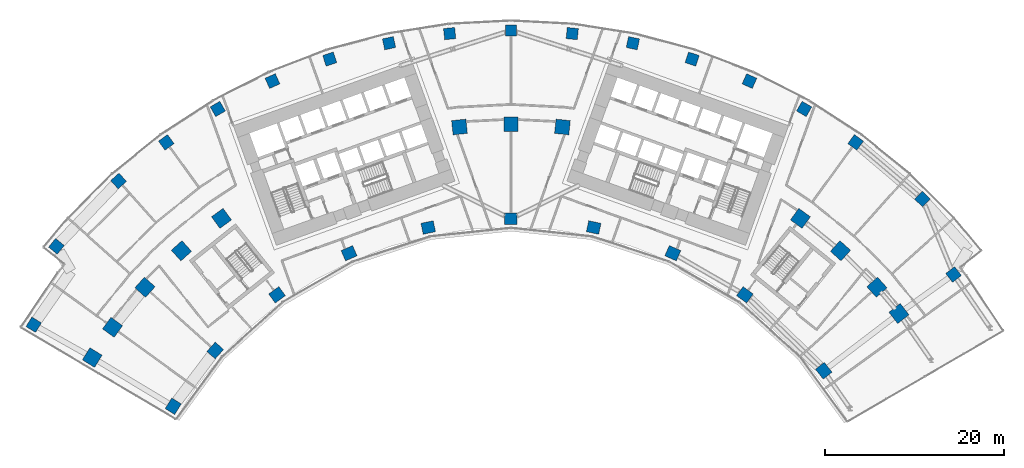
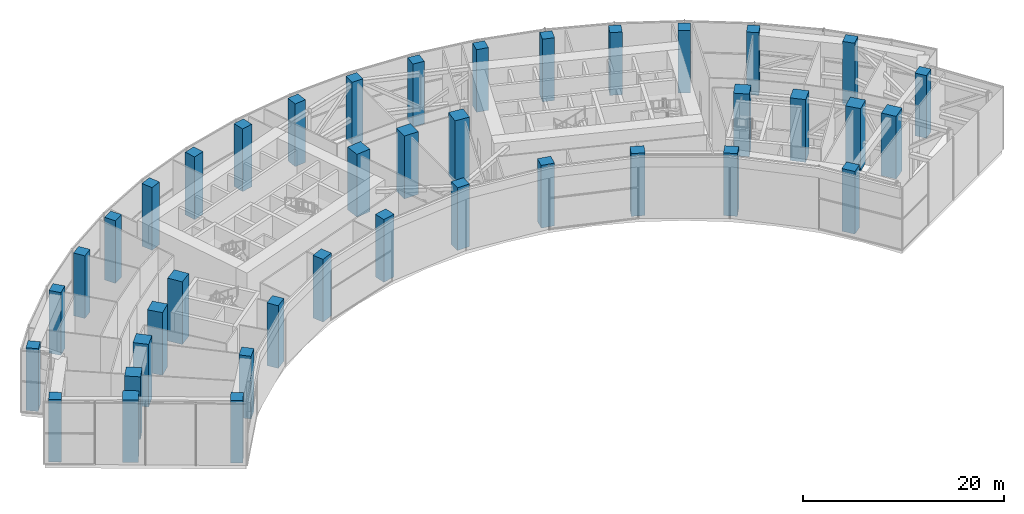
# One storey, part 1 of 33: 40 columns.
"""IFC4 building model written with IfcOpenShell, lengths in metres."""

from ifc_helpers import new_model, si_unit, direction, frame, origin, origin_2d, place, context, subcontext, project, spatial, rectangle, extrude, material, material_profile, profile_set, type_object, element, save


model = new_model("IFC4")

# Units and contexts
model_context = context("Model", 3, precision=1e-05, world=origin(), true_north=direction((0.0, 1.0)))
body_context = subcontext(model_context, "Body", "Model", "MODEL_VIEW")
ifc_project = project(units=[si_unit("LENGTHUNIT", "METRE"), si_unit("AREAUNIT", "SQUARE_METRE"), si_unit("VOLUMEUNIT", "CUBIC_METRE"), si_unit("PLANEANGLEUNIT", "RADIAN"), si_unit("MASSUNIT", "GRAM", prefix="KILO")], contexts=[model_context])

# Site, building, storey
site_placement = place(None, origin())
site = spatial("IfcSite", under=ifc_project, at=site_placement, CompositionType="ELEMENT")
building_placement = place(site_placement, origin())
building = spatial("IfcBuilding", under=site, at=building_placement, Name="Stone Belt Terrace Tower", CompositionType="ELEMENT")
storey_placement = place(building_placement, frame((0.0, 0.0, 79.39990234375)))
storey = spatial("IfcBuildingStorey", under=building, at=storey_placement, Name="L19", CompositionType="ELEMENT", Elevation=79.39990234375)

# Columns
ifc_material = material(Name="Concrete B80", Category="concrete")
ifc_material_profile_1 = material_profile(ifc_material, rectangle(XDim=1.25, YDim=1.25, at=origin_2d()), Name="RC 1250x1250")
ifc_profile_set_1 = profile_set([ifc_material_profile_1], Name="Concrete B80")
column_type_1 = type_object("IfcColumnType", Name="Column RC 1250x1250 B80", PredefinedType="COLUMN", material=ifc_profile_set_1)
for number, where, z_axis, x_axis, name in (
    (1, (-53.30078125, 32.6171875, 0.0), (0.0, 0.0, 1.0), (0.521967198123, 0.852965558556, 0.0), "Column L19 RA"),
    (2, (49.432861328125, 38.226318359375, 0.0), (0.0, 0.0, 1.0), (0.611730019057, -0.791066611472, 0.0), "Column L19 RB"),
    (3, (-50.7646484375, 41.373046875, 0.0), (0.0, 0.0, 1.0), (0.631758757508, 0.775165061333, 0.0), "Column L19 RNA"),
    (4, (-43.820556640625, 48.667724609375, 0.0), (0.0, 0.0, 1.0), (0.743144825477, 0.669130606359, 0.0), "Column L19 R15"),
    (5, (-38.493408203125, 52.981689453125, 0.0), (0.0, 0.0, 1.0), (0.809016994375, 0.587785252292, 0.0), "Column L19 R16"),
    (6, (-32.744384765625, 56.715087890625, 0.0), (0.0, 0.0, 1.0), (0.866025403784, 0.5, 0.0), "Column L19 R17"),
    (7, (-26.63671875, 59.8271484375, 0.0), (0.0, 0.0, 1.0), (0.913545457643, 0.406736643076, 0.0), "Column L19 R18"),
    (8, (-20.2373046875, 62.28369140625, 0.0), (0.0, 0.0, 1.0), (0.951056516295, 0.309016994375, 0.0), "Column L19 R19"),
    (9, (-13.615966796875, 64.057861328125, 0.0), (0.0, 0.0, 1.0), (0.978147600734, 0.207911690818, 0.0), "Column L19 R20"),
    (10, (-6.845458984375, 65.130126953125, 0.0), (0.0, 0.0, 1.0), (0.994521895368, 0.104528463268, 0.0), "Column L19 R21"),
    (11, (0.0, 65.489013671875, 0.0), (0.0, 0.0, 1.0), (1.0, 0.0, 0.0), "Column L19 R22"),
    (12, (6.845458984375, 65.130126953125, 0.0), (0.0, 0.0, 1.0), (0.994521895368, -0.104528463268, 0.0), "Column L19 R23"),
    (13, (13.615966796875, 64.057861328125, 0.0), (0.0, 0.0, 1.0), (0.978147600734, -0.207911690818, 0.0), "Column L19 R24"),
    (14, (20.2373046875, 62.28369140625, 0.0), (0.0, 0.0, 1.0), (0.951056516295, -0.309016994375, 0.0), "Column L19 R25"),
    (15, (26.63671875, 59.8271484375, 0.0), (0.0, 0.0, 1.0), (0.913545457643, -0.406736643076, 0.0), "Column L19 R26"),
    (16, (32.744384765625, 56.715087890625, 0.0), (0.0, 0.0, 1.0), (0.866025403784, -0.5, 0.0), "Column L19 R27"),
    (17, (38.493408203125, 52.981689453125, 0.0), (0.0, 0.0, 1.0), (0.809016994375, -0.587785252292, 0.0), "Column L19 R28"),
    (18, (45.95849609375, 46.654296875, 0.0), (0.0, 0.0, 1.0), (0.712398494182, -0.701775167334, 0.0), "Column L19 RNB"),
):
    element("IfcColumn", number, at=place(storey_placement, frame(where, z_axis=z_axis, x_axis=x_axis)), inside=storey, type_object=column_type_1, Name=name, PredefinedType="COLUMN", context=body_context, shape_type="SweptSolid", body=[
        extrude(rectangle(XDim=1.25, YDim=1.25, at=origin_2d()), origin(), (0.0, 0.0, 1.0), 7.60009765625),
    ])
ifc_material_profile_2 = material_profile(ifc_material, rectangle(XDim=1.39990234375, YDim=1.25, at=origin_2d()), Name="RC 1400x1250")
ifc_profile_set_2 = profile_set([ifc_material_profile_2], Name="Concrete B80")
column_type_2 = type_object("IfcColumnType", Name="Column RC 1400x1250 B80", PredefinedType="COLUMN", material=ifc_profile_set_2)
for number, where, z_axis, x_axis, name in (
    (19, (-37.718017578125, 23.510009765625, 0.0), (0.0, 0.0, 1.0), (0.528967211548, 0.84864226215, 0.0), "Column L19 PA"),
    (20, (-33.029052734375, 29.739501953125, 0.0), (0.0, 0.0, 1.0), (0.669130606359, 0.743144825477, 0.0), "Column L19 P14"),
    (21, (-26.1240234375, 35.956787109375, 0.0), (0.0, 0.0, 1.0), (0.809016994375, 0.587785252292, 0.0), "Column L19 P16"),
    (22, (-18.077392578125, 40.6025390625, 0.0), (0.0, 0.0, 1.0), (0.913545457643, 0.406736643076, 0.0), "Column L19 P18"),
    (23, (-9.240478515625, 43.473876953125, 0.0), (0.0, 0.0, 1.0), (0.978147600734, 0.207911690818, 0.0), "Column L19 P20"),
    (24, (0.0, 44.445068359375, 0.0), (0.0, 0.0, 1.0), (1.0, 0.0, 0.0), "Column L19 P22"),
    (25, (9.240478515625, 43.473876953125, 0.0), (0.0, 0.0, 1.0), (0.978147600734, -0.207911690818, 0.0), "Column L19 P24"),
    (26, (18.077392578125, 40.6025390625, 0.0), (0.0, 0.0, 1.0), (0.913545457643, -0.406736643076, 0.0), "Column L19 P26"),
    (27, (26.1240234375, 35.956787109375, 0.0), (0.0, 0.0, 1.0), (0.809016994375, -0.587785252292, 0.0), "Column L19 P28"),
    (28, (34.93408203125, 27.476806640625, 0.0), (0.0, 0.0, 1.0), (0.618217727677, -0.786006896399, 0.0), "Column L19 PB"),
):
    element("IfcColumn", number, at=place(storey_placement, frame(where, z_axis=z_axis, x_axis=x_axis)), inside=storey, type_object=column_type_2, Name=name, PredefinedType="COLUMN", context=body_context, shape_type="SweptSolid", body=[
        extrude(rectangle(XDim=1.39990234375, YDim=1.25, at=origin_2d()), origin(), (0.0, 0.0, 1.0), 7.60009765625),
    ])
ifc_material_profile_3 = material_profile(ifc_material, rectangle(XDim=1.60009765625, YDim=1.60009765625, at=origin_2d()), Name="RC 1600x1600")
ifc_profile_set_3 = profile_set([ifc_material_profile_3], Name="Concrete B80")
column_type_3 = type_object("IfcColumnType", Name="Column RC 1600x1600 B80", PredefinedType="COLUMN", material=ifc_profile_set_3)
for number, where, z_axis, x_axis, name in (
    (29, (-46.763671875, 28.951171875, 0.0), (0.0, 0.0, 1.0), (0.526383105721, 0.850247508677, 0.0), "Column L19 QA"),
    (30, (-44.495849609375, 32.328125, 0.0), (0.0, 0.0, 1.0), (0.587785252292, 0.809016994375, 0.0), "Column L19 Q13"),
    (31, (-40.873046875, 36.80224609375, 0.0), (0.0, 0.0, 1.0), (0.669130606359, 0.743144825477, 0.0), "Column L19 Q14"),
    (32, (-36.80224609375, 40.873046875, 0.0), (0.0, 0.0, 1.0), (0.743144825477, 0.669130606359, 0.0), "Column L19 Q15"),
    (33, (-32.328125, 44.495849609375, 0.0), (0.0, 0.0, 1.0), (0.809016994375, 0.587785252292, 0.0), "Column L19 Q16"),
    (34, (-5.7490234375, 54.69873046875, 0.0), (0.0, 0.0, 1.0), (0.994521895368, 0.104528463268, 0.0), "Column L19 Q21"),
    (35, (0.0, 55.0, 0.0), (0.0, 0.0, 1.0), (1.0, 0.0, 0.0), "Column L19 Q22"),
    (36, (5.7490234375, 54.69873046875, 0.0), (0.0, 0.0, 1.0), (0.994521895368, -0.104528463268, 0.0), "Column L19 Q23"),
    (37, (32.328125, 44.495849609375, 0.0), (0.0, 0.0, 1.0), (0.809016994375, -0.587785252292, 0.0), "Column L19 Q28"),
    (38, (36.80224609375, 40.873046875, 0.0), (0.0, 0.0, 1.0), (0.743144825477, -0.669130606359, 0.0), "Column L19 Q29"),
    (39, (40.873046875, 36.80224609375, 0.0), (0.0, 0.0, 1.0), (0.669130606359, -0.743144825477, 0.0), "Column L19 Q30"),
    (40, (43.33349609375, 33.870361328125, 0.0), (0.0, 0.0, 1.0), (0.615825127294, -0.787882867306, 0.0), "Column L19 QB"),
):
    element("IfcColumn", number, at=place(storey_placement, frame(where, z_axis=z_axis, x_axis=x_axis)), inside=storey, type_object=column_type_3, Name=name, PredefinedType="COLUMN", context=body_context, shape_type="SweptSolid", body=[
        extrude(rectangle(XDim=1.60009765625, YDim=1.60009765625, at=origin_2d()), origin(), (0.0, 0.0, 1.0), 7.60009765625),
    ])

save(model, "model.ifc")
